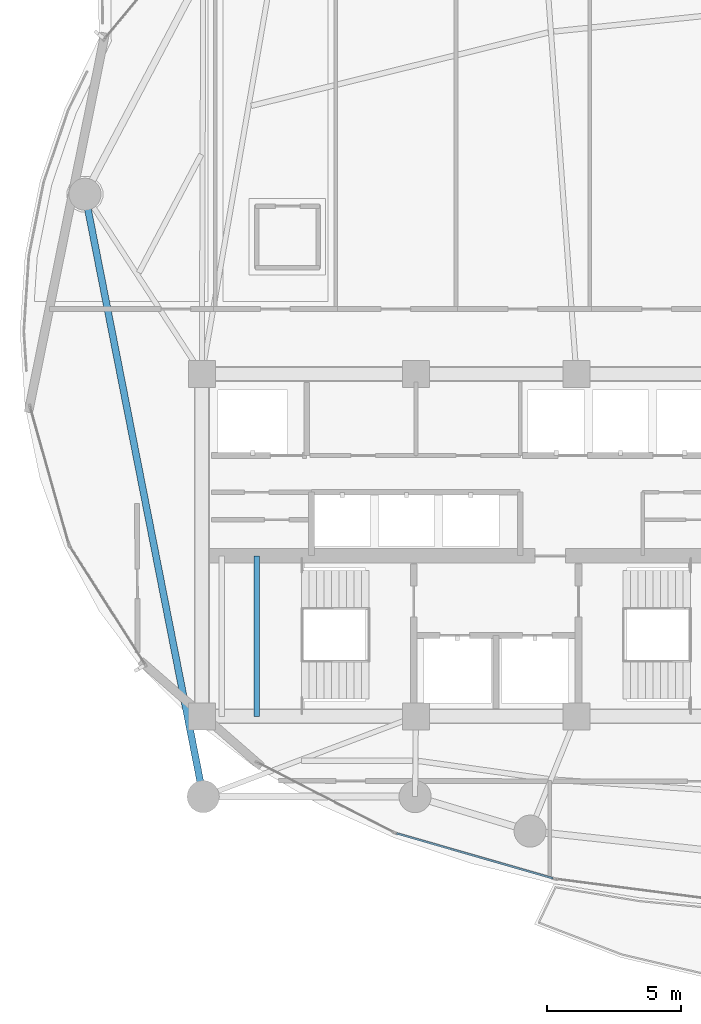
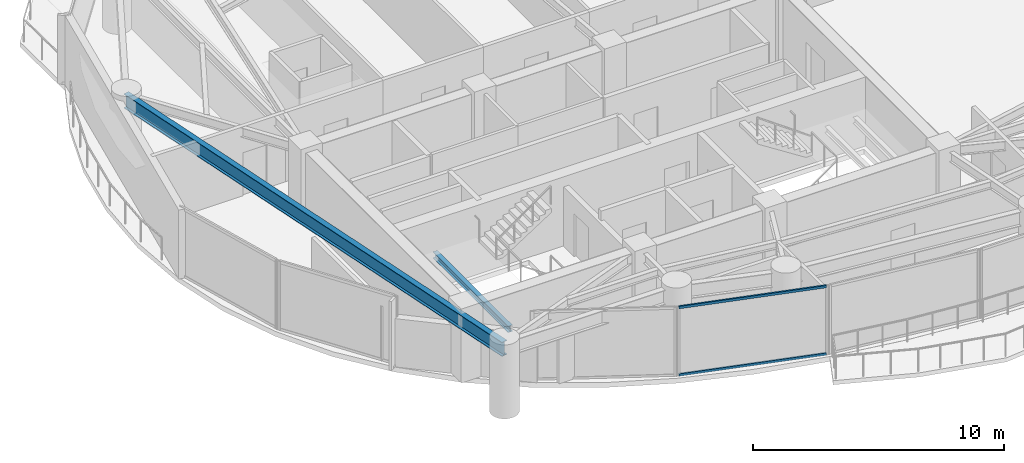
# One storey, part 4 of 28: 2 beams, 2 members, 1 element without a shape of its own.
"""IFC4 building model written with IfcOpenShell, lengths in metres."""

from ifc_helpers import new_model, si_unit, direction, frame, origin, origin_2d, place, context, subcontext, project, spatial, hollow_rectangle, i_section, extrude, material, layer, layer_set, material_profile, profile_set, type_object, element, aggregate, save


model = new_model("IFC4")

# Units and contexts
model_context = context("Model", 3, precision=1e-05, world=origin(), true_north=direction((0.0, 1.0)))
body_context = subcontext(model_context, "Body", "Model", "MODEL_VIEW")
ifc_project = project(units=[si_unit("LENGTHUNIT", "METRE"), si_unit("AREAUNIT", "SQUARE_METRE"), si_unit("VOLUMEUNIT", "CUBIC_METRE"), si_unit("PLANEANGLEUNIT", "RADIAN"), si_unit("MASSUNIT", "GRAM", prefix="KILO")], contexts=[model_context])

# Site, building, storey
site_placement = place(None, origin())
site = spatial("IfcSite", under=ifc_project, at=site_placement, CompositionType="ELEMENT")
building_placement = place(site_placement, origin())
building = spatial("IfcBuilding", under=site, at=building_placement, Name="Kazevale Care Tower and Concert Hall", CompositionType="ELEMENT")
storey_placement = place(building_placement, frame((0.0, 0.0, 135.0)))
storey = spatial("IfcBuildingStorey", under=building, at=storey_placement, Name="L35", CompositionType="ELEMENT", Elevation=135.0)

# Curtain wall, members
ifc_material_1 = material(Name="Aluminium 6063-T6 and Low-E Glass", Category="aluminium")
ifc_layer = layer(ifc_material_1, 0.179931640625)
ifc_layer_set = layer_set([ifc_layer], Name="Aluminium 6063-T6 and Low-E Glass")
curtain_wall_type = type_object("IfcCurtainWallType", Name="Sheltered Concave Balcony Curtain Wall CW-5", PredefinedType="NOTDEFINED", material=ifc_layer_set)
curtain_wall_placement = place(storey_placement, origin())
curtain_wall = element("IfcCurtainWall", 1, at=curtain_wall_placement, inside=storey, type_object=curtain_wall_type, Name="cw:L35:f08", PredefinedType="NOTDEFINED")
ifc_material_2 = material(Name="Aluminium 6063-T6", Category="aluminium")
ifc_material_profile_1 = material_profile(ifc_material_2, hollow_rectangle(XDim=0.074951171875, YDim=0.1201171875, WallThickness=0.00390625, at=origin_2d()), Name="ALU75x120x4")
ifc_profile_set_1 = profile_set([ifc_material_profile_1], Name="Aluminium 6063-T6")
member_type = type_object("IfcMemberType", Name="CW-5 Transom ALU75x120x4", PredefinedType="USERDEFINED", material=ifc_profile_set_1)
member_1_placement = place(storey_placement, frame((35.121826171875, 17.545654296875, 0.03759765625), z_axis=(-0.961067703236, 0.276312992451, 0.0), x_axis=(-0.276312992451, -0.961067703236, 0.0)))
member_1 = element("IfcMember", 2, at=member_1_placement, type_object=member_type, Name="CW-5 transom 1.1", ObjectType="TRANSOM", PredefinedType="USERDEFINED", context=body_context, shape_type="SweptSolid", body=[
    extrude(hollow_rectangle(XDim=0.074951171875, YDim=0.1201171875, WallThickness=0.00390625, at=origin_2d()), origin(), (0.0, 0.0, 1.0), 6.075439453125),
])
member_2_placement = place(storey_placement, frame((35.121826171875, 17.545654296875, 3.322509765625), z_axis=(-0.961067703236, 0.276312992451, 0.0), x_axis=(-0.276312992451, -0.961067703236, 0.0)))
member_2 = element("IfcMember", 3, at=member_2_placement, type_object=member_type, Name="CW-5 transom 1.2", ObjectType="TRANSOM", PredefinedType="USERDEFINED", context=body_context, shape_type="SweptSolid", body=[
    extrude(hollow_rectangle(XDim=0.074951171875, YDim=0.1201171875, WallThickness=0.00390625, at=origin_2d()), origin(), (0.0, 0.0, 1.0), 6.075439453125),
])
aggregate(curtain_wall, [member_1, member_2])

# Beams
ifc_material_3 = material(Name="Steel ASTM A572 Gr 50", Category="steel")
ifc_material_profile_2 = material_profile(ifc_material_3, i_section(OverallWidth=0.202880859375, OverallDepth=0.302978515625, WebThickness=0.007568359375, FlangeThickness=0.01318359375, at=origin_2d()), Name="W310x60")
ifc_profile_set_2 = profile_set([ifc_material_profile_2], Name="Steel ASTM A572 Gr 50")
beam_type_1 = type_object("IfcBeamType", Name="Stair & Balcony Trimmer W310x60", PredefinedType="BEAM", material=ifc_profile_set_2)
beam_1_placement = place(storey_placement, frame((24.050048828125, 23.60009765625, 1.448486328125), z_axis=(0.0, 1.0, 0.0), x_axis=(-1.0, 0.0, 0.0)))
element("IfcBeam", 4, at=beam_1_placement, inside=storey, type_object=beam_type_1, Name="beam:L35:sttrim:ST1b", PredefinedType="BEAM", context=body_context, shape_type="SweptSolid", body=[
    extrude(i_section(OverallWidth=0.202880859375, OverallDepth=0.302978515625, WebThickness=0.007568359375, FlangeThickness=0.01318359375, at=origin_2d()), origin(), (0.0, 0.0, 1.0), 6.0),
])
ifc_material_profile_3 = material_profile(ifc_material_3, i_section(OverallWidth=0.256103515625, OverallDepth=0.693115234375, WebThickness=0.014404296875, FlangeThickness=0.023681640625, at=origin_2d()), Name="W690x170")
ifc_profile_set_3 = profile_set([ifc_material_profile_3], Name="Steel ASTM A572 Gr 50")
beam_type_2 = type_object("IfcBeamType", Name="Waist Ring Beam W690x170", PredefinedType="BEAM", material=ifc_profile_set_3)
beam_2_placement = place(storey_placement, frame((17.6298828125, 43.1201171875, 3.013427734375), z_axis=(0.192602267784, -0.9812769061, 0.0), x_axis=(0.9812769061, 0.192602267784, 0.0)))
element("IfcBeam", 5, at=beam_2_placement, inside=storey, type_object=beam_type_2, Name="beam:L35:ring:09", PredefinedType="BEAM", context=body_context, shape_type="SweptSolid", body=[
    extrude(i_section(OverallWidth=0.256103515625, OverallDepth=0.693115234375, WebThickness=0.014404296875, FlangeThickness=0.023681640625, at=origin_2d()), origin(), (0.0, 0.0, 1.0), 22.94970703125),
])

save(model, "model.ifc")
